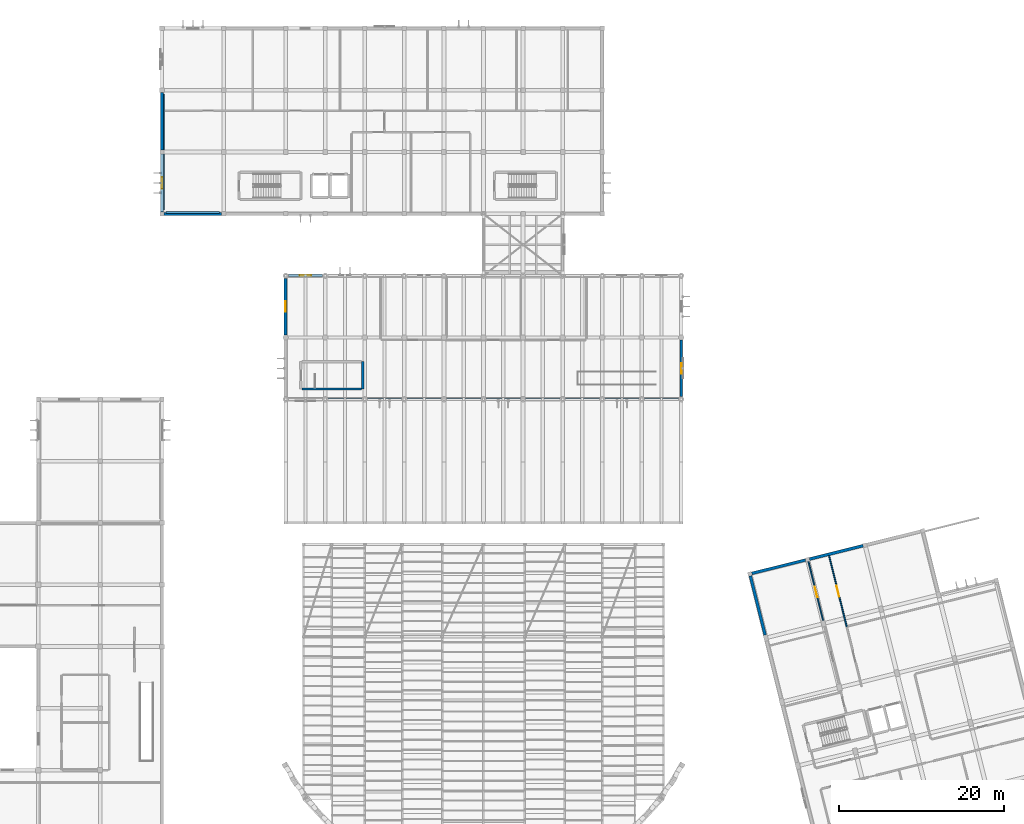
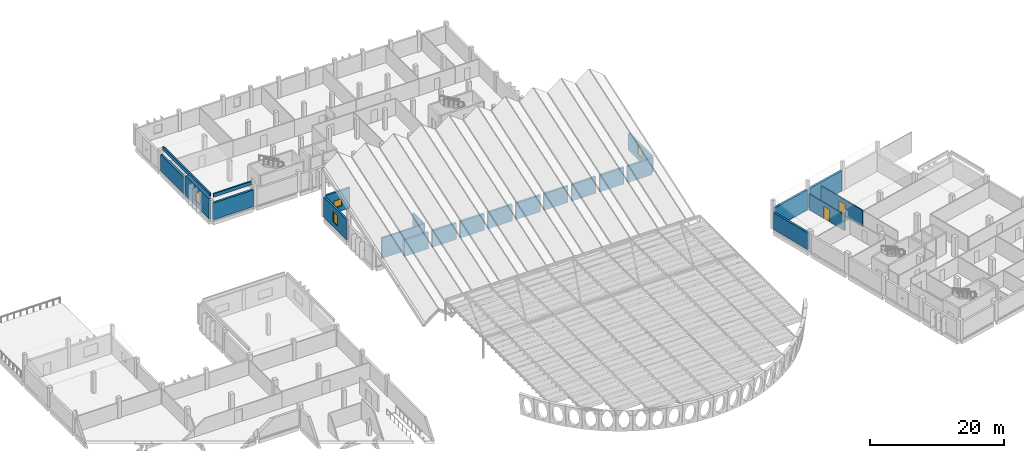
# One storey, part 29 of 47: 24 walls, 4 windows, 2 doors, 6 openings.
"""IFC4 building model written with IfcOpenShell, lengths in metres."""

import ifcopenshell
import ifcopenshell.guid

model = None  # the IFC model being written
_history = None  # IfcOwnerHistory: only IFC2X3 demands one
_inside = {}  # id of a spatial element -> (the spatial element, [elements in it])
_under = {}  # id of a project, library or spatial element -> (it, [spatial elements below it])
_declared = {}  # id of a project -> (the project, [libraries it declares])
_typed = {}  # id of a type object -> (the type object, [elements of that type])
_made_of = {}  # id of a material, layer set ... -> (it, [elements and type objects made of it])


def new_model(schema):
    """Start an empty IFC model of exactly this schema.

    Asked for "IFC4X3", IfcOpenShell would pick the latest addendum, in which some entities
    have other attributes; the version numbers below select the first issue.
    IFC2X3 requires an IfcOwnerHistory on every rooted entity: one is made here for all.
    """
    global model, _history
    if schema == "IFC4X3":
        model = ifcopenshell.file(schema_version=(4, 3, 0, 0))
    else:
        model = ifcopenshell.file(schema=schema)
    _inside.clear()
    _under.clear()
    _declared.clear()
    _typed.clear()
    _made_of.clear()
    _history = None
    if model.schema == "IFC2X3":
        org = make("IfcOrganization", Name="unknown")
        user = make(
            "IfcPersonAndOrganization",
            ThePerson=make("IfcPerson", FamilyName="unknown"),
            TheOrganization=org,
        )
        app = make(
            "IfcApplication",
            ApplicationDeveloper=org,
            Version="unknown",
            ApplicationFullName="unknown",
            ApplicationIdentifier="unknown",
        )
        _history = make(
            "IfcOwnerHistory",
            OwningUser=user,
            OwningApplication=app,
            ChangeAction="ADDED",
            CreationDate=0,
        )
    return model


def make(cls, **values):
    """One entity of the class cls with the attributes given. An attribute that is None is left unset."""
    return model.create_entity(
        cls, **{name: value for name, value in values.items() if value is not None}
    )


def rooted(cls, **values):
    """An entity with a GlobalId (a new one), such as an element, a storey or a relation."""
    return make(cls, GlobalId=ifcopenshell.guid.new(), OwnerHistory=_history, **values)


def si_unit(unit_type, name, prefix=None):
    """IfcSIUnit, for example si_unit("LENGTHUNIT", "METRE", prefix="MILLI")."""
    return make("IfcSIUnit", UnitType=unit_type, Prefix=prefix, Name=name)


def assignment(units):
    """IfcUnitAssignment: the units of a project."""
    return None if units is None else make("IfcUnitAssignment", Units=units)


def point(xyz):
    """IfcCartesianPoint."""
    return None if xyz is None else make("IfcCartesianPoint", Coordinates=xyz)


def direction(xyz):
    """IfcDirection."""
    return None if xyz is None else make("IfcDirection", DirectionRatios=xyz)


def frame(location, z_axis=None, x_axis=None):
    """IfcAxis2Placement3D, a coordinate frame: its origin and axes. An axis left out is left unset."""
    return make(
        "IfcAxis2Placement3D",
        Location=point(location),
        Axis=direction(z_axis),
        RefDirection=direction(x_axis),
    )


def frame_2d(location, x_axis=None):
    """IfcAxis2Placement2D, a coordinate frame in the plane: its origin and x axis."""
    return make(
        "IfcAxis2Placement2D", Location=point(location), RefDirection=direction(x_axis)
    )


def origin():
    """The frame at (0, 0, 0) with its axes left unset."""
    return frame((0.0, 0.0, 0.0))


def place(relative_to, where):
    """IfcLocalPlacement: puts the frame where relative to a parent placement (None: the world)."""
    return make(
        "IfcLocalPlacement", PlacementRelTo=relative_to, RelativePlacement=where
    )


def context(
    kind, dimensions, precision=None, world=None, true_north=None, identifier=None
):
    """IfcGeometricRepresentationContext, for example the 3D "Model" context."""
    return make(
        "IfcGeometricRepresentationContext",
        ContextIdentifier=identifier,
        ContextType=kind,
        CoordinateSpaceDimension=dimensions,
        Precision=precision,
        WorldCoordinateSystem=world,
        TrueNorth=true_north,
    )


def subcontext(parent, identifier, kind, view, scale=None):
    """IfcGeometricRepresentationSubContext, for example "Body" below "Model"."""
    return make(
        "IfcGeometricRepresentationSubContext",
        ContextIdentifier=identifier,
        ContextType=kind,
        ParentContext=parent,
        TargetScale=scale,
        TargetView=view,
    )


def project(units=None, contexts=None):
    """IfcProject with its units and contexts."""
    return rooted(
        "IfcProject",
        Name="project",
        RepresentationContexts=contexts,
        UnitsInContext=assignment(units),
    )


def spatial(cls, under=None, at=None, **own):
    """A site, building, storey or space (cls), placed at a placement, below another one or the project."""
    s = rooted(cls, ObjectPlacement=at, **own)
    if under is not None:
        _under.setdefault(under.id(), (under, []))[1].append(s)
    return s


def profile(cls, at=None, kind="AREA", **sizes):
    """A parametric profile (cls). Its sizes go by their IFC names, for example OverallWidth=200.0."""
    return make(cls, ProfileType=kind, Position=at, **sizes)


def rectangle(**sizes):
    """IfcRectangleProfileDef."""
    return profile("IfcRectangleProfileDef", **sizes)


def extrude(swept, where, along, depth):
    """IfcExtrudedAreaSolid: the profile swept, set in the frame where, extruded along a direction by depth."""
    return make(
        "IfcExtrudedAreaSolid",
        SweptArea=swept,
        Position=where,
        ExtrudedDirection=direction(along),
        Depth=depth,
    )


def shape(context_of_items, identifier, shape_type, items):
    """IfcShapeRepresentation: the items that make up one representation, for example the "Body"."""
    return make(
        "IfcShapeRepresentation",
        ContextOfItems=context_of_items,
        RepresentationIdentifier=identifier,
        RepresentationType=shape_type,
        Items=items,
    )


def material(Name=None, Category=None):
    """IfcMaterial."""
    return make("IfcMaterial", Name=Name, Category=Category)


def layer(
    of_material, thickness, ventilated=None, Name=None, Category=None, Priority=None
):
    """IfcMaterialLayer: one layer of a wall or slab, of a material (None: an air gap)."""
    return make(
        "IfcMaterialLayer",
        Material=of_material,
        LayerThickness=thickness,
        IsVentilated=ventilated,
        Name=Name,
        Category=Category,
        Priority=Priority,
    )


def layer_set(layers, Name=None):
    """IfcMaterialLayerSet."""
    return make("IfcMaterialLayerSet", MaterialLayers=layers, LayerSetName=Name)


def made_of(thing, what):
    """Note that an element or type object is made of a material, layer set ...; save() writes the relation."""
    if what is not None:
        _made_of.setdefault(what.id(), (what, []))[1].append(thing)
    return thing


def type_object(cls, material=None, **own):
    """A type object (cls), such as IfcWallType, which elements share."""
    return made_of(rooted(cls, **own), material)


def element(
    cls,
    number,
    at=None,
    inside=None,
    cuts=None,
    type_object=None,
    material=None,
    context=None,
    identifier="Body",
    shape_type=None,
    held_by="IfcProductDefinitionShape",
    body=None,
    shapes=None,
    **own,
):
    """One element of the class cls, such as IfcWall. Its Tag is "e" and its number.

    at: its placement. inside: the storey or other place that contains it. cuts: it is an
    opening in that element (IfcRelVoidsElement). A single representation is given by context,
    identifier, shape_type and body (its items); several are given by shapes. held_by: the class
    of the entity that holds the representations. save() writes the other relations.
    """
    e = rooted(cls, Tag="e%d" % number, ObjectPlacement=at, **own)
    if body is not None:
        shapes = [shape(context, identifier, shape_type, body)]
    if shapes is not None:
        e.Representation = make(held_by, Representations=shapes)
    if inside is not None:
        _inside.setdefault(inside.id(), (inside, []))[1].append(e)
    if cuts is not None:
        rooted(
            "IfcRelVoidsElement", RelatingBuildingElement=cuts, RelatedOpeningElement=e
        )
    if type_object is not None:
        _typed.setdefault(type_object.id(), (type_object, []))[1].append(e)
    return made_of(e, material)


def fill(opening, filler):
    """IfcRelFillsElement: the door or window that sits in an opening."""
    return rooted(
        "IfcRelFillsElement",
        RelatingOpeningElement=opening,
        RelatedBuildingElement=filler,
    )


def aggregate(whole, parts):
    """IfcRelAggregates: a whole, such as a stair, and the parts it consists of."""
    return rooted("IfcRelAggregates", RelatingObject=whole, RelatedObjects=parts)


def save(model, path):
    """Write the relations noted so far, then the file.

    IfcRelAggregates (storeys below a building ...), IfcRelContainedInSpatialStructure (elements
    in a storey), IfcRelDefinesByType, IfcRelAssociatesMaterial and IfcRelDeclares: one each for
    every whole, place, type object, material and project.
    """
    for whole, parts in _under.values():
        aggregate(whole, parts)
    for where, things in _inside.values():
        rooted(
            "IfcRelContainedInSpatialStructure",
            RelatedElements=things,
            RelatingStructure=where,
        )
    for kind, things in _typed.values():
        rooted("IfcRelDefinesByType", RelatedObjects=things, RelatingType=kind)
    for what, things in _made_of.values():
        rooted("IfcRelAssociatesMaterial", RelatedObjects=things, RelatingMaterial=what)
    for by, libraries in _declared.values():
        rooted("IfcRelDeclares", RelatingContext=by, RelatedDefinitions=libraries)
    model.write(path)


model = new_model("IFC4")

# Units and contexts
model_context = context("Model", 3, precision=1e-05, world=origin(), true_north=direction((0.0, 1.0)))
body_context = subcontext(model_context, "Body", "Model", "MODEL_VIEW")
ifc_project = project(units=[si_unit("LENGTHUNIT", "METRE"), si_unit("AREAUNIT", "SQUARE_METRE"), si_unit("VOLUMEUNIT", "CUBIC_METRE"), si_unit("PLANEANGLEUNIT", "RADIAN"), si_unit("MASSUNIT", "GRAM", prefix="KILO")], contexts=[model_context])

# Site, building, storey
site_placement = place(None, origin())
site = spatial("IfcSite", under=ifc_project, at=site_placement, CompositionType="ELEMENT")
building_placement = place(site_placement, origin())
building = spatial("IfcBuilding", under=site, at=building_placement, Name="Mawjan Specialist Oncology Clinic", CompositionType="ELEMENT")
storey_placement = place(building_placement, frame((0.0, 0.0, 9.5)))
storey = spatial("IfcBuildingStorey", under=building, at=storey_placement, Name="L02", CompositionType="ELEMENT", Elevation=9.5)

# Walls
ifc_material_1 = material(Name="Precast concrete C40/50", Category="concrete")
ifc_layer_1 = layer(ifc_material_1, 0.35009765625, Name="Precast concrete C40/50", Category="concrete")
ifc_layer_set_1 = layer_set([ifc_layer_1], Name="Precast concrete C40/50")
wall_type_1 = type_object("IfcWallType", Name="EW-350", PredefinedType="SOLIDWALL", material=ifc_layer_set_1)
wall_1_placement = place(storey_placement, frame((118.167724609375, 32.21337890625, 0.0), z_axis=(0.0, 0.0, 1.0), x_axis=(-0.241928011715, 0.970294201337, 0.0)))
element("IfcWall", 1, at=wall_1_placement, inside=storey, type_object=wall_type_1, Name="L02 Coral-Limestone Exterior Wall EW-L02-163", PredefinedType="SOLIDWALL", context=body_context, shape_type="SweptSolid", body=[
    extrude(rectangle(XDim=7.374755859375, YDim=0.35009765625, at=frame_2d((3.6875, 0.0))), origin(), (0.0, 0.0, 1.0), 3.034912109375),
])
for number, where, z_axis, x_axis, name in (
    (2, (116.565673828125, 39.67236328125, 0.0), (0.0, 0.0, 1.0), (0.970296633454, 0.241918257079, 0.0), "L02 Coral-Limestone Exterior Wall EW-L02-164"),
    (3, (123.5517578125, 41.4140625, 0.0), (0.0, 0.0, 1.0), (0.970296633454, 0.241918257079, 0.0), "L02 Coral-Limestone Exterior Wall EW-L02-165"),
):
    element("IfcWall", number, at=place(storey_placement, frame(where, z_axis=z_axis, x_axis=x_axis)), inside=storey, type_object=wall_type_1, Name=name, PredefinedType="SOLIDWALL", context=body_context, shape_type="SweptSolid", body=[
        extrude(rectangle(XDim=6.699951171875, YDim=0.35009765625, at=frame_2d((3.35009765625, 0.0))), origin(), (0.0, 0.0, 1.0), 3.669921875),
    ])
wall_2_placement = place(storey_placement, frame((52.22509765625, 83.300048828125, 0.0), z_axis=(0.0, 0.0, 1.0), x_axis=(-1.0, 0.0, 0.0)))
element("IfcWall", 4, at=wall_2_placement, inside=storey, type_object=wall_type_1, Name="L02 Coral-Limestone Exterior Wall EW-L02-212", PredefinedType="SOLIDWALL", context=body_context, shape_type="SweptSolid", body=[
    extrude(rectangle(XDim=6.97509765625, YDim=0.35009765625, at=frame_2d((3.487548828125, 0.0))), origin(), (0.0, 0.0, 1.0), 3.034912109375),
])

# Wall, opening, window
wall_3_placement = place(storey_placement, frame((45.0, 83.550048828125, 0.0), z_axis=(0.0, 0.0, 1.0), x_axis=(0.0, 1.0, 0.0)))
wall_3 = element("IfcWall", 5, at=wall_3_placement, inside=storey, type_object=wall_type_1, Name="L02 Coral-Limestone Exterior Wall EW-L02-213", PredefinedType="SOLIDWALL", context=body_context, shape_type="SweptSolid", body=[
    extrude(rectangle(XDim=7.0, YDim=0.35009765625, at=frame_2d((3.5, 0.0))), origin(), (0.0, 0.0, 1.0), 3.699951171875),
])
opening_1_placement = place(wall_3_placement, frame((2.800048828125, 0.0, 0.89990234375)))
opening_1 = element("IfcOpeningElement", 6, at=opening_1_placement, cuts=wall_3, Name="Opening WN-16", PredefinedType="OPENING", context=body_context, shape_type="SweptSolid", body=[
    extrude(rectangle(XDim=1.39990234375, YDim=1.89990234375, at=frame_2d((0.699951171875, 0.949951171875))), frame((0.0, 0.18701171875, 0.0), z_axis=(0.0, -1.0, 0.0), x_axis=(1.0, 0.0, 0.0)), (0.0, 0.0, 1.0), 0.3740234375),
])
ifc_material_2 = material(Name="Thermally broken low-E clinical aluminium window", Category="aluminium")
window_type_1 = type_object("IfcWindowType", Name="WN-16", PartitioningType="SINGLE_PANEL", PredefinedType="WINDOW", material=ifc_material_2)
window_1_placement = place(opening_1_placement, origin())
window_1 = element("IfcWindow", 7, at=window_1_placement, inside=storey, type_object=window_type_1, Name="L02 Clinical Low-E Window 040", OverallHeight=1.89990234375, OverallWidth=1.39990234375, PartitioningType="SINGLE_PANEL", PredefinedType="WINDOW", context=body_context, shape_type="SweptSolid", body=[
    extrude(rectangle(XDim=1.39990234375, YDim=1.89990234375, at=frame_2d((0.699951171875, 0.949951171875))), frame((0.0, 0.030029296875, 0.0), z_axis=(0.0, -1.0, 0.0), x_axis=(1.0, 0.0, 0.0)), (0.0, 0.0, 1.0), 0.06005859375),
])
fill(opening_1, window_1)

# Wall
wall_4_placement = place(storey_placement, frame((45.0, 91.050048828125, 0.0), z_axis=(0.0, 0.0, 1.0), x_axis=(0.0, 1.0, 0.0)))
element("IfcWall", 8, at=wall_4_placement, inside=storey, type_object=wall_type_1, Name="L02 Coral-Limestone Exterior Wall EW-L02-214", PredefinedType="SOLIDWALL", context=body_context, shape_type="SweptSolid", body=[
    extrude(rectangle(XDim=6.974853515625, YDim=0.35009765625, at=frame_2d((3.4873046875, 0.0))), origin(), (0.0, 0.0, 1.0), 3.034912109375),
])

# Wall, opening, window
wall_5_placement = place(storey_placement, frame((108.0, 67.97509765625, 0.0), z_axis=(0.0, 0.0, 1.0), x_axis=(0.0, -1.0, 0.0)))
wall_5 = element("IfcWall", 9, at=wall_5_placement, inside=storey, type_object=wall_type_1, Name="L02 Coral-Limestone Exterior Wall EW-L02-235", PredefinedType="SOLIDWALL", context=body_context, shape_type="SweptSolid", body=[
    extrude(rectangle(XDim=6.85009765625, YDim=0.35009765625, at=frame_2d((3.425048828125, 0.0))), origin(), (0.0, 0.0, 1.0), 3.0576171875),
])
opening_2_placement = place(wall_5_placement, frame((2.800048828125, 0.0, 0.89990234375)))
opening_2 = element("IfcOpeningElement", 10, at=opening_2_placement, cuts=wall_5, Name="Opening WN-11", PredefinedType="OPENING", context=body_context, shape_type="SweptSolid", body=[
    extrude(rectangle(XDim=1.25, YDim=1.699951171875, at=frame_2d((0.625, 0.85009765625))), frame((0.0, 0.18701171875, 0.0), z_axis=(0.0, -1.0, 0.0), x_axis=(1.0, 0.0, 0.0)), (0.0, 0.0, 1.0), 0.3740234375),
])
ifc_material_3 = material(Name="Thermally broken low-E clinical aluminium window", Category="aluminium")
window_type_2 = type_object("IfcWindowType", Name="WN-11", PartitioningType="SINGLE_PANEL", PredefinedType="WINDOW", material=ifc_material_3)
window_2_placement = place(opening_2_placement, origin())
window_2 = element("IfcWindow", 11, at=window_2_placement, inside=storey, type_object=window_type_2, Name="L02 Clinical Low-E Window 047", OverallHeight=1.699951171875, OverallWidth=1.25, PartitioningType="SINGLE_PANEL", PredefinedType="WINDOW", context=body_context, shape_type="SweptSolid", body=[
    extrude(rectangle(XDim=1.25, YDim=1.699951171875, at=frame_2d((0.625, 0.85009765625))), frame((0.0, 0.030029296875, 0.0), z_axis=(0.0, -1.0, 0.0), x_axis=(1.0, 0.0, 0.0)), (0.0, 0.0, 1.0), 0.06005859375),
])
fill(opening_2, window_2)

# Walls
wall_6_placement = place(storey_placement, frame((107.675048828125, 60.800048828125, 0.0), z_axis=(0.0, 0.0, 1.0), x_axis=(-1.0, 0.0, 0.0)))
element("IfcWall", 12, at=wall_6_placement, inside=storey, type_object=wall_type_1, Name="L02 Coral-Limestone Exterior Wall EW-L02-236", PredefinedType="SOLIDWALL", context=body_context, shape_type="SweptSolid", body=[
    extrude(rectangle(XDim=4.150146484375, YDim=0.35009765625, at=frame_2d((2.0751953125, 0.0))), origin(), (0.0, 0.0, 1.0), 2.994384765625),
])
for number, where, z_axis, x_axis, name in (
    (13, (102.875, 60.800048828125, 0.0), (0.0, 0.0, 1.0), (-1.0, 0.0, 0.0), "L02 Coral-Limestone Exterior Wall EW-L02-237"),
    (14, (98.074951171875, 60.800048828125, 0.0), (0.0, 0.0, 1.0), (-1.0, 0.0, 0.0), "L02 Coral-Limestone Exterior Wall EW-L02-238"),
    (15, (93.27490234375, 60.800048828125, 0.0), (0.0, 0.0, 1.0), (-1.0, 0.0, 0.0), "L02 Coral-Limestone Exterior Wall EW-L02-239"),
):
    element("IfcWall", number, at=place(storey_placement, frame(where, z_axis=z_axis, x_axis=x_axis)), inside=storey, type_object=wall_type_1, Name=name, PredefinedType="SOLIDWALL", context=body_context, shape_type="SweptSolid", body=[
        extrude(rectangle(XDim=4.14990234375, YDim=0.35009765625, at=frame_2d((2.074951171875, 0.0))), origin(), (0.0, 0.0, 1.0), 2.994384765625),
    ])
for number, where, z_axis, x_axis, name in (
    (16, (88.47509765625, 60.800048828125, 0.0), (0.0, 0.0, 1.0), (-1.0, 0.0, 0.0), "L02 Coral-Limestone Exterior Wall EW-L02-240"),
    (17, (83.675048828125, 60.800048828125, 0.0), (0.0, 0.0, 1.0), (-1.0, 0.0, 0.0), "L02 Coral-Limestone Exterior Wall EW-L02-241"),
):
    element("IfcWall", number, at=place(storey_placement, frame(where, z_axis=z_axis, x_axis=x_axis)), inside=storey, type_object=wall_type_1, Name=name, PredefinedType="SOLIDWALL", context=body_context, shape_type="SweptSolid", body=[
        extrude(rectangle(XDim=4.150146484375, YDim=0.35009765625, at=frame_2d((2.0751953125, 0.0))), origin(), (0.0, 0.0, 1.0), 2.994384765625),
    ])
for number, where, z_axis, x_axis, name in (
    (18, (78.875, 60.800048828125, 0.0), (0.0, 0.0, 1.0), (-1.0, 0.0, 0.0), "L02 Coral-Limestone Exterior Wall EW-L02-242"),
    (19, (74.074951171875, 60.800048828125, 0.0), (0.0, 0.0, 1.0), (-1.0, 0.0, 0.0), "L02 Coral-Limestone Exterior Wall EW-L02-243"),
    (20, (69.27490234375, 60.800048828125, 0.0), (0.0, 0.0, 1.0), (-1.0, 0.0, 0.0), "L02 Coral-Limestone Exterior Wall EW-L02-244"),
):
    element("IfcWall", number, at=place(storey_placement, frame(where, z_axis=z_axis, x_axis=x_axis)), inside=storey, type_object=wall_type_1, Name=name, PredefinedType="SOLIDWALL", context=body_context, shape_type="SweptSolid", body=[
        extrude(rectangle(XDim=4.14990234375, YDim=0.35009765625, at=frame_2d((2.074951171875, 0.0))), origin(), (0.0, 0.0, 1.0), 2.994384765625),
    ])

# Wall, opening, window
wall_7_placement = place(storey_placement, frame((60.0, 68.625, 0.0), z_axis=(0.0, 0.0, 1.0), x_axis=(0.0, 1.0, 0.0)))
wall_7 = element("IfcWall", 21, at=wall_7_placement, inside=storey, type_object=wall_type_1, Name="L02 Coral-Limestone Exterior Wall EW-L02-247", PredefinedType="SOLIDWALL", context=body_context, shape_type="SweptSolid", body=[
    extrude(rectangle(XDim=6.85009765625, YDim=0.35009765625, at=frame_2d((3.425048828125, 0.0))), origin(), (0.0, 0.0, 1.0), 3.699951171875),
])
opening_3_placement = place(wall_7_placement, frame((2.800048828125, 0.0, 0.89990234375)))
opening_3 = element("IfcOpeningElement", 22, at=opening_3_placement, cuts=wall_7, Name="Opening WN-12", PredefinedType="OPENING", context=body_context, shape_type="SweptSolid", body=[
    extrude(rectangle(XDim=1.25, YDim=1.89990234375, at=frame_2d((0.625, 0.949951171875))), frame((0.0, 0.18701171875, 0.0), z_axis=(0.0, -1.0, 0.0), x_axis=(1.0, 0.0, 0.0)), (0.0, 0.0, 1.0), 0.3740234375),
])
ifc_material_4 = material(Name="Thermally broken low-E clinical aluminium window", Category="aluminium")
window_type_3 = type_object("IfcWindowType", Name="WN-12", PartitioningType="SINGLE_PANEL", PredefinedType="WINDOW", material=ifc_material_4)
window_3_placement = place(opening_3_placement, origin())
window_3 = element("IfcWindow", 23, at=window_3_placement, inside=storey, type_object=window_type_3, Name="L02 Clinical Low-E Window 048", OverallHeight=1.89990234375, OverallWidth=1.25, PartitioningType="SINGLE_PANEL", PredefinedType="WINDOW", context=body_context, shape_type="SweptSolid", body=[
    extrude(rectangle(XDim=1.25, YDim=1.89990234375, at=frame_2d((0.625, 0.949951171875))), frame((0.0, 0.030029296875, 0.0), z_axis=(0.0, -1.0, 0.0), x_axis=(1.0, 0.0, 0.0)), (0.0, 0.0, 1.0), 0.06005859375),
])
fill(opening_3, window_3)

wall_8_placement = place(storey_placement, frame((60.324951171875, 75.800048828125, 0.0), z_axis=(0.0, 0.0, 1.0), x_axis=(1.0, 0.0, 0.0)))
wall_8 = element("IfcWall", 24, at=wall_8_placement, inside=storey, type_object=wall_type_1, Name="L02 Coral-Limestone Exterior Wall EW-L02-248", PredefinedType="SOLIDWALL", context=body_context, shape_type="SweptSolid", body=[
    extrude(rectangle(XDim=4.150146484375, YDim=0.35009765625, at=frame_2d((2.0751953125, 0.0))), origin(), (0.0, 0.0, 1.0), 3.699951171875),
])
opening_4_placement = place(wall_8_placement, frame((1.375, 0.0, 0.89990234375)))
opening_4 = element("IfcOpeningElement", 25, at=opening_4_placement, cuts=wall_8, Name="Opening WN-13", PredefinedType="OPENING", context=body_context, shape_type="SweptSolid", body=[
    extrude(rectangle(XDim=1.39990234375, YDim=1.300048828125, at=frame_2d((0.699951171875, 0.64990234375))), frame((0.0, 0.18701171875, 0.0), z_axis=(0.0, -1.0, 0.0), x_axis=(1.0, 0.0, 0.0)), (0.0, 0.0, 1.0), 0.3740234375),
])
ifc_material_5 = material(Name="Thermally broken low-E clinical aluminium window", Category="aluminium")
window_type_4 = type_object("IfcWindowType", Name="WN-13", PartitioningType="SINGLE_PANEL", PredefinedType="WINDOW", material=ifc_material_5)
window_4_placement = place(opening_4_placement, origin())
window_4 = element("IfcWindow", 26, at=window_4_placement, inside=storey, type_object=window_type_4, Name="L02 Clinical Low-E Window 049", OverallHeight=1.300048828125, OverallWidth=1.39990234375, PartitioningType="SINGLE_PANEL", PredefinedType="WINDOW", context=body_context, shape_type="SweptSolid", body=[
    extrude(rectangle(XDim=1.39990234375, YDim=1.300048828125, at=frame_2d((0.699951171875, 0.64990234375))), frame((0.0, 0.030029296875, 0.0), z_axis=(0.0, -1.0, 0.0), x_axis=(1.0, 0.0, 0.0)), (0.0, 0.0, 1.0), 0.06005859375),
])
fill(opening_4, window_4)

# Walls
ifc_material_6 = material(Name="Precast concrete C40/50", Category="concrete")
ifc_layer_2 = layer(ifc_material_6, 0.239990234375, Name="Precast concrete C40/50", Category="concrete")
ifc_layer_set_2 = layer_set([ifc_layer_2], Name="Precast concrete C40/50")
wall_type_2 = type_object("IfcWallType", Name="PAR-240", PredefinedType="PARAPET", material=ifc_layer_set_2)
wall_9_placement = place(storey_placement, frame((45.179931640625, 83.780029296875, 3.89990234375), z_axis=(0.0, 0.0, 1.0), x_axis=(0.0, 1.0, 0.0)))
element("IfcWall", 27, at=wall_9_placement, inside=storey, type_object=wall_type_2, Name="L02 Roof Parapet Upstand 20", PredefinedType="PARAPET", context=body_context, shape_type="SweptSolid", body=[
    extrude(rectangle(XDim=14.02001953125, YDim=0.239990234375, at=frame_2d((7.010009765625, 0.0))), origin(), (0.0, 0.0, 1.0), 0.60009765625),
])
ifc_material_7 = material(Name="Precast concrete C40/50", Category="concrete")
ifc_layer_3 = layer(ifc_material_7, 0.260009765625, Name="Precast concrete C40/50", Category="concrete")
ifc_layer_set_3 = layer_set([ifc_layer_3], Name="Precast concrete C40/50")
wall_type_3 = type_object("IfcWallType", Name="PAR-260", PredefinedType="PARAPET", material=ifc_layer_set_3)
wall_10_placement = place(storey_placement, frame((52.0, 83.47998046875, 3.89990234375), z_axis=(0.0, 0.0, 1.0), x_axis=(-1.0, 0.0, 0.0)))
element("IfcWall", 28, at=wall_10_placement, inside=storey, type_object=wall_type_3, Name="L02 Roof Parapet Upstand 21", PredefinedType="PARAPET", context=body_context, shape_type="SweptSolid", body=[
    extrude(rectangle(XDim=6.52001953125, YDim=0.260009765625, at=frame_2d((3.260009765625, 0.0))), origin(), (0.0, 0.0, 1.0), 0.60009765625),
])
ifc_material_8 = material(Name="Concrete C45/55", Category="concrete")
ifc_layer_4 = layer(ifc_material_8, 0.280029296875, Name="Concrete C45/55", Category="concrete")
ifc_layer_set_4 = layer_set([ifc_layer_4], Name="Concrete C45/55")
wall_type_4 = type_object("IfcWallType", Name="SW-300", PredefinedType="SHEAR", material=ifc_layer_set_4)
wall_11_placement = place(storey_placement, frame((61.985107421875, 62.0400390625, 0.0), z_axis=(0.0, 0.0, 1.0), x_axis=(1.0, 0.0, 0.0)))
element("IfcWall", 29, at=wall_11_placement, inside=storey, type_object=wall_type_4, Name="L02 Core K7 Stair Shear Wall 1", PredefinedType="SHEAR", context=body_context, shape_type="SweptSolid", body=[
    extrude(rectangle(XDim=7.22998046875, YDim=0.280029296875, at=frame_2d((3.614990234375, 0.0))), origin(), (0.0, 0.0, 1.0), 3.699951171875),
])
wall_12_placement = place(storey_placement, frame((69.360107421875, 62.0400390625, 0.0), z_axis=(0.0, 0.0, 1.0), x_axis=(0.0, 1.0, 0.0)))
element("IfcWall", 30, at=wall_12_placement, inside=storey, type_object=wall_type_4, Name="L02 Core K7 Stair Shear Wall 2", PredefinedType="SHEAR", context=body_context, shape_type="SweptSolid", body=[
    extrude(rectangle(XDim=3.320068359375, YDim=0.280029296875, at=frame_2d((1.66015625, 0.0))), origin(), (0.0, 0.0, 1.0), 3.699951171875),
])

# Wall, opening, door
ifc_material_9 = material(Name="Acoustic gypsum clinical partition", Category="gypsum")
ifc_layer_5 = layer(ifc_material_9, 0.14990234375, Name="Acoustic gypsum clinical partition", Category="gypsum")
ifc_layer_set_5 = layer_set([ifc_layer_5], Name="Acoustic gypsum clinical partition")
wall_type_5 = type_object("IfcWallType", Name="WP-150", PredefinedType="PARTITIONING", material=ifc_layer_set_5)
wall_13_placement = place(storey_placement, frame((125.267822265625, 33.705322265625, 0.0), z_axis=(0.0, 0.0, 1.0), x_axis=(-0.241933510305, 0.970292830331, 0.0)))
wall_13 = element("IfcWall", 31, at=wall_13_placement, inside=storey, type_object=wall_type_5, Name="L02 Interior Partition W-RINT-L02-RNW2-E", PredefinedType="PARTITIONING", context=body_context, shape_type="SweptSolid", body=[
    extrude(rectangle(XDim=7.633056640625, YDim=0.14990234375, at=frame_2d((3.81640625, 0.0))), origin(), (0.0, 0.0, 1.0), 2.885009765625),
])
opening_5_placement = place(wall_13_placement, frame((3.176513671875, 0.0, 0.0)))
opening_5 = element("IfcOpeningElement", 32, at=opening_5_placement, cuts=wall_13, Name="Opening DC-128", PredefinedType="OPENING", context=body_context, shape_type="SweptSolid", body=[
    extrude(rectangle(XDim=1.280029296875, YDim=2.219970703125, at=frame_2d((0.64013671875, 1.10986328125))), frame((0.0, 0.0869140625, 0.0), z_axis=(0.0, -1.0, 0.0), x_axis=(1.0, 0.0, 0.0)), (0.0, 0.0, 1.0), 0.173828125),
])
ifc_material_10 = material(Name="Acoustic laminate hospital door leaf", Category="wood")
door_type_1 = type_object("IfcDoorType", Name="DC-128", OperationType="NOTDEFINED", PredefinedType="DOOR", material=ifc_material_10)
door_1_placement = place(opening_5_placement, origin())
door_1 = element("IfcDoor", 33, at=door_1_placement, inside=storey, type_object=door_type_1, Name="L02 Translational Biomarker Assay Lab Door", OperationType="SINGLE_SWING_LEFT", OverallHeight=2.219970703125, OverallWidth=1.280029296875, PredefinedType="DOOR", context=body_context, shape_type="SweptSolid", body=[
    extrude(rectangle(XDim=1.280029296875, YDim=2.219970703125, at=frame_2d((0.64013671875, 1.10986328125))), frame((0.0, 0.02490234375, 0.0), z_axis=(0.0, -1.0, 0.0), x_axis=(1.0, 0.0, 0.0)), (0.0, 0.0, 1.0), 0.050048828125),
])
fill(opening_5, door_1)

wall_14_placement = place(storey_placement, frame((128.080078125, 33.172607421875, 0.0), z_axis=(0.0, 0.0, 1.0), x_axis=(-0.241916302916, 0.970297120672, 0.0)))
wall_14 = element("IfcWall", 34, at=wall_14_placement, inside=storey, type_object=wall_type_5, Name="L02 Interior Partition W-RINT-L02-RNE2-W", PredefinedType="PARTITIONING", context=body_context, shape_type="SweptSolid", body=[
    extrude(rectangle(XDim=8.905029296875, YDim=0.14990234375, at=frame_2d((4.45263671875, 0.0))), origin(), (0.0, 0.0, 1.0), 3.034912109375),
])
opening_6_placement = place(wall_14_placement, frame((3.78271484375, 0.0, 0.0)))
opening_6 = element("IfcOpeningElement", 35, at=opening_6_placement, cuts=wall_14, Name="Opening DC-134", PredefinedType="OPENING", context=body_context, shape_type="SweptSolid", body=[
    extrude(rectangle(XDim=1.340087890625, YDim=2.239990234375, at=frame_2d((0.669921875, 1.1201171875))), frame((0.0, 0.0869140625, 0.0), z_axis=(0.0, -1.0, 0.0), x_axis=(1.0, 0.0, 0.0)), (0.0, 0.0, 1.0), 0.173828125),
])
ifc_material_11 = material(Name="Acoustic laminate hospital door leaf", Category="wood")
door_type_2 = type_object("IfcDoorType", Name="DC-134", OperationType="NOTDEFINED", PredefinedType="DOOR", material=ifc_material_11)
door_2_placement = place(opening_6_placement, origin())
door_2 = element("IfcDoor", 36, at=door_2_placement, inside=storey, type_object=door_type_2, Name="L02 Clinical Bioinformatics Research Suite Door", OperationType="SINGLE_SWING_RIGHT", OverallHeight=2.239990234375, OverallWidth=1.340087890625, PredefinedType="DOOR", context=body_context, shape_type="SweptSolid", body=[
    extrude(rectangle(XDim=1.340087890625, YDim=2.239990234375, at=frame_2d((0.669921875, 1.1201171875))), frame((0.0, 0.02490234375, 0.0), z_axis=(0.0, -1.0, 0.0), x_axis=(1.0, 0.0, 0.0)), (0.0, 0.0, 1.0), 0.050048828125),
])
fill(opening_6, door_2)

save(model, "model.ifc")
